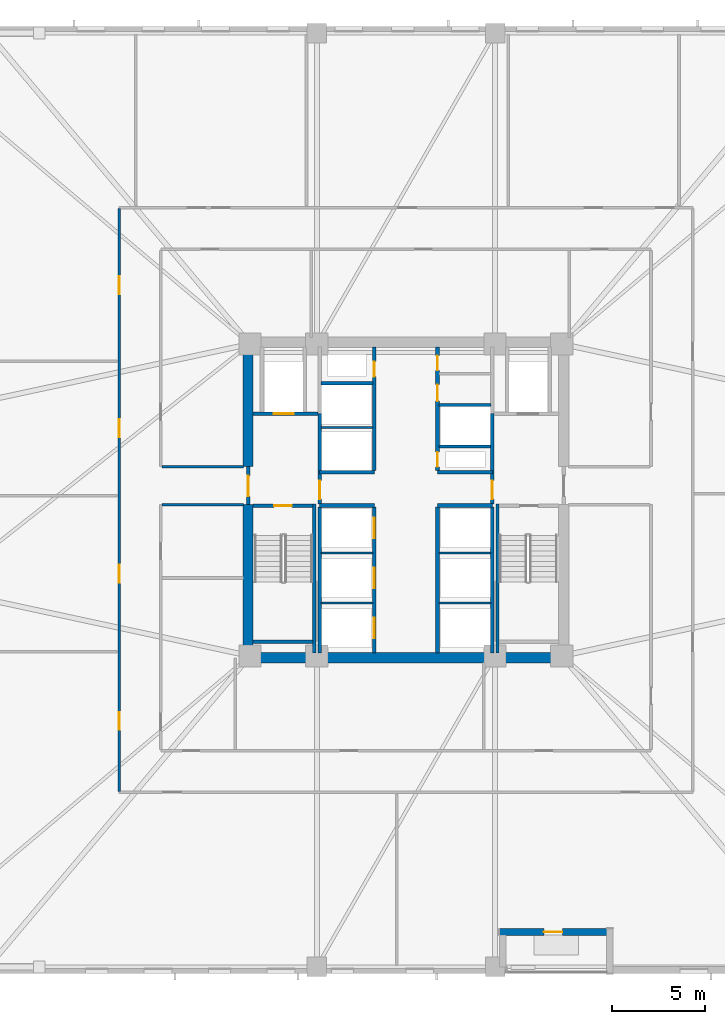
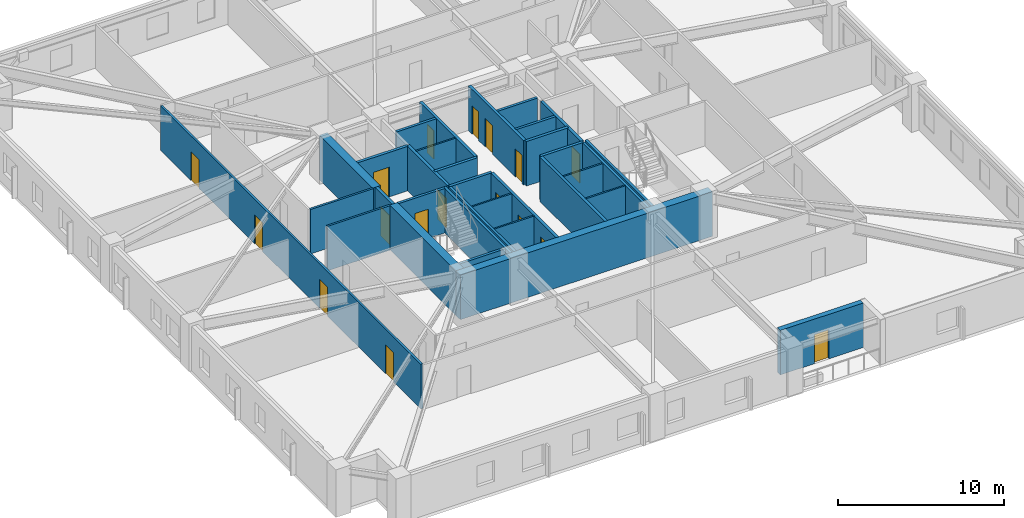
# One storey, part 3 of 11: 33 walls, 17 doors, 17 openings.
"""IFC4 building model written with IfcOpenShell, lengths in metres."""

from ifc_helpers import new_model, si_unit, direction, frame, frame_2d, origin, place, context, subcontext, project, spatial, rectangle, extrude, material, layer, layer_set, type_object, element, fill, save


model = new_model("IFC4")

# Units and contexts
model_context = context("Model", 3, precision=1e-05, world=origin(), true_north=direction((0.0, 1.0)))
body_context = subcontext(model_context, "Body", "Model", "MODEL_VIEW")
ifc_project = project(units=[si_unit("LENGTHUNIT", "METRE"), si_unit("AREAUNIT", "SQUARE_METRE"), si_unit("VOLUMEUNIT", "CUBIC_METRE"), si_unit("PLANEANGLEUNIT", "RADIAN"), si_unit("MASSUNIT", "GRAM", prefix="KILO")], contexts=[model_context])

# Site, building, storey
site_placement = place(None, origin())
site = spatial("IfcSite", under=ifc_project, at=site_placement, CompositionType="ELEMENT")
building_placement = place(site_placement, origin())
building = spatial("IfcBuilding", under=site, at=building_placement, Name="Cairnveth Concourse Tower", CompositionType="ELEMENT")
storey_placement = place(building_placement, frame((0.0, 0.0, 44.5)))
storey = spatial("IfcBuildingStorey", under=building, at=storey_placement, Name="L11", CompositionType="ELEMENT", Elevation=44.5)

# Walls
ifc_material_1 = material(Name="Concrete N80 (80 MPa)", Category="concrete")
ifc_layer_1 = layer(ifc_material_1, 0.550048828125)
ifc_layer_set_1 = layer_set([ifc_layer_1], Name="Concrete N80 (80 MPa)")
wall_type_1 = type_object("IfcWallType", Name="CORE SHEAR WALL 550", PredefinedType="SHEAR", material=ifc_layer_set_1)
wall_1_placement = place(storey_placement, frame((43.22509765625, 30.5, 0.0), z_axis=(0.0, 0.0, 1.0), x_axis=(1.0, 0.0, 0.0)))
element("IfcWall", 1, at=wall_1_placement, inside=storey, type_object=wall_type_1, Name="Core South Shear Wall L11", PredefinedType="SHEAR", context=body_context, shape_type="SweptSolid", body=[
    extrude(rectangle(XDim=17.5498046875, YDim=0.550048828125, at=frame_2d((8.77490234375, 0.0))), origin(), (0.0, 0.0, 1.0), 3.280029296875),
])
wall_2_placement = place(storey_placement, frame((43.5, 30.764892578125, 0.0), z_axis=(0.0, 0.0, 1.0), x_axis=(0.0, 1.0, 0.0)))
element("IfcWall", 2, at=wall_2_placement, inside=storey, type_object=wall_type_1, Name="Core West Shear Wall S L11", PredefinedType="SHEAR", context=body_context, shape_type="SweptSolid", body=[
    extrude(rectangle(XDim=7.985107421875, YDim=0.550048828125, at=frame_2d((3.99267578125, 0.0))), origin(), (0.0, 0.0, 1.0), 3.280029296875),
])
wall_3_placement = place(storey_placement, frame((43.5, 40.800048828125, 0.0), z_axis=(0.0, 0.0, 1.0), x_axis=(0.0, 1.0, 0.0)))
element("IfcWall", 3, at=wall_3_placement, inside=storey, type_object=wall_type_1, Name="Core West Shear Wall N L11", PredefinedType="SHEAR", context=body_context, shape_type="SweptSolid", body=[
    extrude(rectangle(XDim=6.43505859375, YDim=0.550048828125, at=frame_2d((3.217529296875, 0.0))), origin(), (0.0, 0.0, 1.0), 3.280029296875),
])
ifc_material_2 = material(Name="Concrete N50 (50 MPa)", Category="concrete")
ifc_layer_2 = layer(ifc_material_2, 0.179931640625)
ifc_layer_set_2 = layer_set([ifc_layer_2], Name="Concrete N50 (50 MPa)")
wall_type_2 = type_object("IfcWallType", Name="FIRE SHAFT WALL 180", PredefinedType="SOLIDWALL", material=ifc_layer_set_2)
for number, where, z_axis, x_axis, name in (
    (4, (47.35009765625, 30.760009765625, 0.0), (0.0, 0.0, 1.0), (0.0, 1.0, 0.0), "Interior Wall IW-L11-025"),
    (5, (56.64990234375, 30.760009765625, 0.0), (0.0, 0.0, 1.0), (0.0, 1.0, 0.0), "Interior Wall IW-L11-028"),
):
    element("IfcWall", number, at=place(storey_placement, frame(where, z_axis=z_axis, x_axis=x_axis)), inside=storey, type_object=wall_type_2, Name=name, PredefinedType="SOLIDWALL", context=body_context, shape_type="SweptSolid", body=[
        extrude(rectangle(XDim=7.85498046875, YDim=0.179931640625, at=frame_2d((3.927490234375, 0.0))), origin(), (0.0, 0.0, 1.0), 3.280029296875),
    ])
wall_4_placement = place(storey_placement, frame((47.425048828125, 45.280029296875, 0.0), z_axis=(0.0, 0.0, 1.0), x_axis=(1.0, 0.0, 0.0)))
element("IfcWall", 6, at=wall_4_placement, inside=storey, type_object=wall_type_2, Name="Interior Wall IW-L11-033", PredefinedType="SOLIDWALL", context=body_context, shape_type="SweptSolid", body=[
    extrude(rectangle(XDim=2.7900390625, YDim=0.179931640625, at=frame_2d((1.39501953125, 0.0))), origin(), (0.0, 0.0, 1.0), 3.280029296875),
])
wall_5_placement = place(storey_placement, frame((53.784912109375, 41.8798828125, 0.0), z_axis=(0.0, 0.0, 1.0), x_axis=(1.0, 0.0, 0.0)))
element("IfcWall", 7, at=wall_5_placement, inside=storey, type_object=wall_type_2, Name="Interior Wall IW-L11-035", PredefinedType="SOLIDWALL", context=body_context, shape_type="SweptSolid", body=[
    extrude(rectangle(XDim=2.780029296875, YDim=0.179931640625, at=frame_2d((1.39013671875, 0.0))), origin(), (0.0, 0.0, 1.0), 3.280029296875),
])
wall_6_placement = place(storey_placement, frame((53.784912109375, 44.1201171875, 0.0), z_axis=(0.0, 0.0, 1.0), x_axis=(1.0, 0.0, 0.0)))
element("IfcWall", 8, at=wall_6_placement, inside=storey, type_object=wall_type_2, Name="Interior Wall IW-L11-036", PredefinedType="SOLIDWALL", context=body_context, shape_type="SweptSolid", body=[
    extrude(rectangle(XDim=2.7900390625, YDim=0.179931640625, at=frame_2d((1.39501953125, 0.0))), origin(), (0.0, 0.0, 1.0), 3.280029296875),
])

# Wall, opening, door
wall_7_placement = place(storey_placement, frame((43.764892578125, 38.68994140625, 0.0), z_axis=(0.0, 0.0, 1.0), x_axis=(1.0, 0.0, 0.0)))
wall_7 = element("IfcWall", 9, at=wall_7_placement, inside=storey, type_object=wall_type_2, Name="Stair ST-1 Shaft Wall NEAR L11", PredefinedType="SOLIDWALL", context=body_context, shape_type="SweptSolid", body=[
    extrude(rectangle(XDim=3.230224609375, YDim=0.179931640625, at=frame_2d((1.615234375, 0.0))), origin(), (0.0, 0.0, 1.0), 3.280029296875),
])
opening_1_placement = place(wall_7_placement, frame((1.139892578125, 0.0, 0.0)))
opening_1 = element("IfcOpeningElement", 10, at=opening_1_placement, cuts=wall_7, Name="Opening ID12", PredefinedType="OPENING", context=body_context, shape_type="SweptSolid", body=[
    extrude(rectangle(XDim=0.949951171875, YDim=2.14990234375, at=frame_2d((0.47509765625, 1.074951171875))), frame((0.0, 0.099853515625, 0.0), z_axis=(0.0, -1.0, 0.0), x_axis=(1.0, 0.0, 0.0)), (0.0, 0.0, 1.0), 0.199951171875),
])
ifc_material_3 = material(Name="Steel Grade 350", Category="steel")
door_type_1 = type_object("IfcDoorType", Name="FIRE STAIR DOOR 950X2150", OperationType="NOTDEFINED", PredefinedType="DOOR", material=ifc_material_3)
door_1_placement = place(opening_1_placement, origin())
door_1 = element("IfcDoor", 11, at=door_1_placement, inside=storey, type_object=door_type_1, Name="Stair ST-1 Fire Door L11", OperationType="SINGLE_SWING_LEFT", OverallHeight=2.14990234375, OverallWidth=0.949951171875, PredefinedType="DOOR", context=body_context, shape_type="SweptSolid", body=[
    extrude(rectangle(XDim=0.949951171875, YDim=2.14990234375, at=frame_2d((0.47509765625, 1.074951171875))), frame((0.0, 0.02490234375, 0.0), z_axis=(0.0, -1.0, 0.0), x_axis=(1.0, 0.0, 0.0)), (0.0, 0.0, 1.0), 0.050048828125),
])
fill(opening_1, door_1)

# Walls
wall_8_placement = place(storey_placement, frame((43.764892578125, 31.360107421875, 0.0), z_axis=(0.0, 0.0, 1.0), x_axis=(1.0, 0.0, 0.0)))
element("IfcWall", 12, at=wall_8_placement, inside=storey, type_object=wall_type_2, Name="Stair ST-1 Shaft Wall FAR L11", PredefinedType="SOLIDWALL", context=body_context, shape_type="SweptSolid", body=[
    extrude(rectangle(XDim=3.230224609375, YDim=0.179931640625, at=frame_2d((1.615234375, 0.0))), origin(), (0.0, 0.0, 1.0), 3.280029296875),
])
for number, where, z_axis, x_axis, name in (
    (13, (47.070068359375, 38.780029296875, 0.0), (0.0, 0.0, 1.0), (0.0, -1.0, 0.0), "Stair ST-1 Shaft Wall RGHT L11"),
    (14, (56.929931640625, 38.780029296875, 0.0), (0.0, 0.0, 1.0), (0.0, -1.0, 0.0), "Stair ST-2 Shaft Wall LEFT L11"),
):
    element("IfcWall", number, at=place(storey_placement, frame(where, z_axis=z_axis, x_axis=x_axis)), inside=storey, type_object=wall_type_2, Name=name, PredefinedType="SOLIDWALL", context=body_context, shape_type="SweptSolid", body=[
        extrude(rectangle(XDim=8.01708984375, YDim=0.179931640625, at=frame_2d((4.008544921875, 0.0))), origin(), (0.0, 0.0, 1.0), 3.280029296875),
    ])
ifc_layer_3 = layer(ifc_material_2, 0.199951171875)
ifc_layer_set_3 = layer_set([ifc_layer_3], Name="Concrete N50 (50 MPa)")
wall_type_3 = type_object("IfcWallType", Name="FIRE SHAFT WALL 200", PredefinedType="SOLIDWALL", material=ifc_layer_set_3)
for number, where, z_axis, x_axis, name in (
    (15, (47.35009765625, 38.699951171875, 0.0), (0.0, 0.0, 1.0), (1.0, 0.0, 0.0), "Interior Wall IW-L11-007"),
    (16, (47.35009765625, 40.5, 0.0), (0.0, 0.0, 1.0), (1.0, 0.0, 0.0), "Interior Wall IW-L11-008"),
    (17, (53.699951171875, 38.699951171875, 0.0), (0.0, 0.0, 1.0), (1.0, 0.0, 0.0), "Interior Wall IW-L11-009"),
    (18, (53.699951171875, 40.5, 0.0), (0.0, 0.0, 1.0), (1.0, 0.0, 0.0), "Interior Wall IW-L11-010"),
):
    element("IfcWall", number, at=place(storey_placement, frame(where, z_axis=z_axis, x_axis=x_axis)), inside=storey, type_object=wall_type_3, Name=name, PredefinedType="SOLIDWALL", context=body_context, shape_type="SweptSolid", body=[
        extrude(rectangle(XDim=2.949951171875, YDim=0.199951171875, at=frame_2d((1.47509765625, 0.0))), origin(), (0.0, 0.0, 1.0), 3.280029296875),
    ])

# Wall, openings, doors
wall_9_placement = place(storey_placement, frame((50.300048828125, 30.760009765625, 0.0), z_axis=(0.0, 0.0, 1.0), x_axis=(0.0, 1.0, 0.0)))
wall_9 = element("IfcWall", 19, at=wall_9_placement, inside=storey, type_object=wall_type_3, Name="Interior Wall IW-L11-011", PredefinedType="SOLIDWALL", context=body_context, shape_type="SweptSolid", body=[
    extrude(rectangle(XDim=7.85498046875, YDim=0.199951171875, at=frame_2d((3.927490234375, 0.0))), origin(), (0.0, 0.0, 1.0), 3.280029296875),
])
opening_2_placement = place(wall_9_placement, frame((0.7900390625, 0.0, 0.0)))
opening_2 = element("IfcOpeningElement", 20, at=opening_2_placement, cuts=wall_9, Name="Opening LD-1", PredefinedType="OPENING", context=body_context, shape_type="SweptSolid", body=[
    extrude(rectangle(XDim=1.10009765625, YDim=2.199951171875, at=frame_2d((0.550048828125, 1.10009765625))), frame((0.0, 0.10986328125, 0.0), z_axis=(0.0, -1.0, 0.0), x_axis=(1.0, 0.0, 0.0)), (0.0, 0.0, 1.0), 0.219970703125),
])
opening_3_placement = place(wall_9_placement, frame((3.489990234375, 0.0, 0.0)))
opening_3 = element("IfcOpeningElement", 21, at=opening_3_placement, cuts=wall_9, Name="Opening LD-1", PredefinedType="OPENING", context=body_context, shape_type="SweptSolid", body=[
    extrude(rectangle(XDim=1.10009765625, YDim=2.199951171875, at=frame_2d((0.550048828125, 1.10009765625))), frame((0.0, 0.10986328125, 0.0), z_axis=(0.0, -1.0, 0.0), x_axis=(1.0, 0.0, 0.0)), (0.0, 0.0, 1.0), 0.219970703125),
])
opening_4_placement = place(wall_9_placement, frame((6.18994140625, 0.0, 0.0)))
opening_4 = element("IfcOpeningElement", 22, at=opening_4_placement, cuts=wall_9, Name="Opening LD-1", PredefinedType="OPENING", context=body_context, shape_type="SweptSolid", body=[
    extrude(rectangle(XDim=1.10009765625, YDim=2.199951171875, at=frame_2d((0.550048828125, 1.10009765625))), frame((0.0, 0.10986328125, 0.0), z_axis=(0.0, -1.0, 0.0), x_axis=(1.0, 0.0, 0.0)), (0.0, 0.0, 1.0), 0.219970703125),
])
ifc_material_4 = material(Name="Architectural Bronze Anodised Aluminium 6063-T6", Category="aluminium")
door_type_2 = type_object("IfcDoorType", Name="LIFT LANDING DOOR 1100X2200", OperationType="SLIDING_TO_LEFT", PredefinedType="DOOR", material=ifc_material_4)
door_2_placement = place(opening_2_placement, origin())
door_2 = element("IfcDoor", 23, at=door_2_placement, inside=storey, type_object=door_type_2, Name="Lift PL1 Landing Door L11", OperationType="SLIDING_TO_LEFT", OverallHeight=2.199951171875, OverallWidth=1.10009765625, PredefinedType="DOOR", context=body_context, shape_type="SweptSolid", body=[
    extrude(rectangle(XDim=1.10009765625, YDim=2.199951171875, at=frame_2d((0.550048828125, 1.10009765625))), frame((0.0, 0.02490234375, 0.0), z_axis=(0.0, -1.0, 0.0), x_axis=(1.0, 0.0, 0.0)), (0.0, 0.0, 1.0), 0.050048828125),
])
fill(opening_2, door_2)
door_3_placement = place(opening_3_placement, origin())
door_3 = element("IfcDoor", 24, at=door_3_placement, inside=storey, type_object=door_type_2, Name="Lift PL2 Landing Door L11", OperationType="SLIDING_TO_LEFT", OverallHeight=2.199951171875, OverallWidth=1.10009765625, PredefinedType="DOOR", context=body_context, shape_type="SweptSolid", body=[
    extrude(rectangle(XDim=1.10009765625, YDim=2.199951171875, at=frame_2d((0.550048828125, 1.10009765625))), frame((0.0, 0.02490234375, 0.0), z_axis=(0.0, -1.0, 0.0), x_axis=(1.0, 0.0, 0.0)), (0.0, 0.0, 1.0), 0.050048828125),
])
fill(opening_3, door_3)
door_4_placement = place(opening_4_placement, origin())
door_4 = element("IfcDoor", 25, at=door_4_placement, inside=storey, type_object=door_type_2, Name="Lift PL3 Landing Door L11", OperationType="SLIDING_TO_LEFT", OverallHeight=2.199951171875, OverallWidth=1.10009765625, PredefinedType="DOOR", context=body_context, shape_type="SweptSolid", body=[
    extrude(rectangle(XDim=1.10009765625, YDim=2.199951171875, at=frame_2d((0.550048828125, 1.10009765625))), frame((0.0, 0.02490234375, 0.0), z_axis=(0.0, -1.0, 0.0), x_axis=(1.0, 0.0, 0.0)), (0.0, 0.0, 1.0), 0.050048828125),
])
fill(opening_4, door_4)

# Wall
wall_10_placement = place(storey_placement, frame((53.699951171875, 30.760009765625, 0.0), z_axis=(0.0, 0.0, 1.0), x_axis=(0.0, 1.0, 0.0)))
element("IfcWall", 26, at=wall_10_placement, inside=storey, type_object=wall_type_3, Name="Interior Wall IW-L11-012", PredefinedType="SOLIDWALL", context=body_context, shape_type="SweptSolid", body=[
    extrude(rectangle(XDim=7.85498046875, YDim=0.199951171875, at=frame_2d((3.927490234375, 0.0))), origin(), (0.0, 0.0, 1.0), 3.280029296875),
])

# Wall, opening, door
wall_11_placement = place(storey_placement, frame((50.300048828125, 40.5849609375, 0.0), z_axis=(0.0, 0.0, 1.0), x_axis=(0.0, 1.0, 0.0)))
wall_11 = element("IfcWall", 27, at=wall_11_placement, inside=storey, type_object=wall_type_3, Name="Interior Wall IW-L11-013", PredefinedType="SOLIDWALL", context=body_context, shape_type="SweptSolid", body=[
    extrude(rectangle(XDim=6.655029296875, YDim=0.199951171875, at=frame_2d((3.32763671875, 0.0))), origin(), (0.0, 0.0, 1.0), 3.280029296875),
])
opening_5_placement = place(wall_11_placement, frame((5.06494140625, 0.0, 0.0)))
opening_5 = element("IfcOpeningElement", 28, at=opening_5_placement, cuts=wall_11, Name="Opening ID24", PredefinedType="OPENING", context=body_context, shape_type="SweptSolid", body=[
    extrude(rectangle(XDim=0.800048828125, YDim=2.080078125, at=frame_2d((0.39990234375, 1.0400390625))), frame((0.0, 0.10986328125, 0.0), z_axis=(0.0, -1.0, 0.0), x_axis=(1.0, 0.0, 0.0)), (0.0, 0.0, 1.0), 0.219970703125),
])
door_type_3 = type_object("IfcDoorType", Name="RISER ACCESS DOOR 800X2100", OperationType="NOTDEFINED", PredefinedType="DOOR", material=ifc_material_3)
door_5_placement = place(opening_5_placement, origin())
door_5 = element("IfcDoor", 29, at=door_5_placement, inside=storey, type_object=door_type_3, Name="NW Electrical Riser Access Door L11", OperationType="SINGLE_SWING_RIGHT", OverallHeight=2.080078125, OverallWidth=0.800048828125, PredefinedType="DOOR", context=body_context, shape_type="SweptSolid", body=[
    extrude(rectangle(XDim=0.800048828125, YDim=2.080078125, at=frame_2d((0.39990234375, 1.0400390625))), frame((0.0, 0.02490234375, 0.0), z_axis=(0.0, -1.0, 0.0), x_axis=(1.0, 0.0, 0.0)), (0.0, 0.0, 1.0), 0.050048828125),
])
fill(opening_5, door_5)

# Wall, openings, doors
wall_12_placement = place(storey_placement, frame((53.699951171875, 40.5849609375, 0.0), z_axis=(0.0, 0.0, 1.0), x_axis=(0.0, 1.0, 0.0)))
wall_12 = element("IfcWall", 30, at=wall_12_placement, inside=storey, type_object=wall_type_3, Name="Interior Wall IW-L11-014", PredefinedType="SOLIDWALL", context=body_context, shape_type="SweptSolid", body=[
    extrude(rectangle(XDim=6.655029296875, YDim=0.199951171875, at=frame_2d((3.32763671875, 0.0))), origin(), (0.0, 0.0, 1.0), 3.280029296875),
])
opening_6_placement = place(wall_12_placement, frame((0.195068359375, 0.0, 0.0)))
opening_6 = element("IfcOpeningElement", 31, at=opening_6_placement, cuts=wall_12, Name="Opening ID24", PredefinedType="OPENING", context=body_context, shape_type="SweptSolid", body=[
    extrude(rectangle(XDim=0.800048828125, YDim=2.080078125, at=frame_2d((0.39990234375, 1.0400390625))), frame((0.0, 0.10986328125, 0.0), z_axis=(0.0, -1.0, 0.0), x_axis=(1.0, 0.0, 0.0)), (0.0, 0.0, 1.0), 0.219970703125),
])
opening_7_placement = place(wall_12_placement, frame((3.735107421875, 0.0, 0.0)))
opening_7 = element("IfcOpeningElement", 32, at=opening_7_placement, cuts=wall_12, Name="Opening ID26", PredefinedType="OPENING", context=body_context, shape_type="SweptSolid", body=[
    extrude(rectangle(XDim=0.89990234375, YDim=2.1201171875, at=frame_2d((0.449951171875, 1.06005859375))), frame((0.0, 0.10986328125, 0.0), z_axis=(0.0, -1.0, 0.0), x_axis=(1.0, 0.0, 0.0)), (0.0, 0.0, 1.0), 0.219970703125),
])
opening_8_placement = place(wall_12_placement, frame((5.39501953125, 0.0, 0.0)))
opening_8 = element("IfcOpeningElement", 33, at=opening_8_placement, cuts=wall_12, Name="Opening ID23", PredefinedType="OPENING", context=body_context, shape_type="SweptSolid", body=[
    extrude(rectangle(XDim=0.800048828125, YDim=2.10009765625, at=frame_2d((0.39990234375, 1.050048828125))), frame((0.0, 0.10986328125, 0.0), z_axis=(0.0, -1.0, 0.0), x_axis=(1.0, 0.0, 0.0)), (0.0, 0.0, 1.0), 0.219970703125),
])
door_type_4 = type_object("IfcDoorType", Name="CORE SERVICE DOOR 800X2100", OperationType="NOTDEFINED", PredefinedType="DOOR", material=ifc_material_3)
door_6_placement = place(opening_8_placement, origin())
door_6 = element("IfcDoor", 34, at=door_6_placement, inside=storey, type_object=door_type_4, Name="Core NE Cleaners Door L11", OperationType="SINGLE_SWING_LEFT", OverallHeight=2.10009765625, OverallWidth=0.800048828125, PredefinedType="DOOR", context=body_context, shape_type="SweptSolid", body=[
    extrude(rectangle(XDim=0.800048828125, YDim=2.10009765625, at=frame_2d((0.39990234375, 1.050048828125))), frame((0.0, 0.02490234375, 0.0), z_axis=(0.0, -1.0, 0.0), x_axis=(1.0, 0.0, 0.0)), (0.0, 0.0, 1.0), 0.050048828125),
])
fill(opening_8, door_6)
door_type_5 = type_object("IfcDoorType", Name="CORE TOILET FIRE DOOR 900X2120", OperationType="NOTDEFINED", PredefinedType="DOOR", material=ifc_material_3)
door_7_placement = place(opening_7_placement, origin())
door_7 = element("IfcDoor", 35, at=door_7_placement, inside=storey, type_object=door_type_5, Name="Core NE Unisex WC Door L11", OperationType="SINGLE_SWING_RIGHT", OverallHeight=2.1201171875, OverallWidth=0.89990234375, PredefinedType="DOOR", context=body_context, shape_type="SweptSolid", body=[
    extrude(rectangle(XDim=0.89990234375, YDim=2.1201171875, at=frame_2d((0.449951171875, 1.06005859375))), frame((0.0, 0.02490234375, 0.0), z_axis=(0.0, -1.0, 0.0), x_axis=(1.0, 0.0, 0.0)), (0.0, 0.0, 1.0), 0.050048828125),
])
fill(opening_7, door_7)
door_8_placement = place(opening_6_placement, origin())
door_8 = element("IfcDoor", 36, at=door_8_placement, inside=storey, type_object=door_type_3, Name="Hydraulic Riser Door L11", OperationType="SINGLE_SWING_LEFT", OverallHeight=2.080078125, OverallWidth=0.800048828125, PredefinedType="DOOR", context=body_context, shape_type="SweptSolid", body=[
    extrude(rectangle(XDim=0.800048828125, YDim=2.080078125, at=frame_2d((0.39990234375, 1.0400390625))), frame((0.0, 0.02490234375, 0.0), z_axis=(0.0, -1.0, 0.0), x_axis=(1.0, 0.0, 0.0)), (0.0, 0.0, 1.0), 0.050048828125),
])
fill(opening_6, door_8)

# Wall, opening, door
wall_13_placement = place(storey_placement, frame((43.5, 38.75, 0.0), z_axis=(0.0, 0.0, 1.0), x_axis=(0.0, 1.0, 0.0)))
wall_13 = element("IfcWall", 37, at=wall_13_placement, inside=storey, type_object=wall_type_3, Name="Interior Wall IW-L11-015", PredefinedType="SOLIDWALL", context=body_context, shape_type="SweptSolid", body=[
    extrude(rectangle(XDim=2.050048828125, YDim=0.199951171875, at=frame_2d((1.02490234375, 0.0))), origin(), (0.0, 0.0, 1.0), 3.280029296875),
])
opening_9_placement = place(wall_13_placement, frame((0.449951171875, 0.0, 0.0)))
opening_9 = element("IfcOpeningElement", 38, at=opening_9_placement, cuts=wall_13, Name="Opening ID06", PredefinedType="OPENING", context=body_context, shape_type="SweptSolid", body=[
    extrude(rectangle(XDim=1.10009765625, YDim=2.14990234375, at=frame_2d((0.550048828125, 1.074951171875))), frame((0.0, 0.10986328125, 0.0), z_axis=(0.0, -1.0, 0.0), x_axis=(1.0, 0.0, 0.0)), (0.0, 0.0, 1.0), 0.219970703125),
])
door_type_6 = type_object("IfcDoorType", Name="FIRE CORRIDOR DOOR 1100X2150", OperationType="NOTDEFINED", PredefinedType="DOOR", material=ifc_material_3)
door_9_placement = place(opening_9_placement, origin())
door_9 = element("IfcDoor", 39, at=door_9_placement, inside=storey, type_object=door_type_6, Name="West Wing to FF Lobby Door L11", OperationType="SINGLE_SWING_LEFT", OverallHeight=2.14990234375, OverallWidth=1.10009765625, PredefinedType="DOOR", context=body_context, shape_type="SweptSolid", body=[
    extrude(rectangle(XDim=1.10009765625, YDim=2.14990234375, at=frame_2d((0.550048828125, 1.074951171875))), frame((0.0, 0.02490234375, 0.0), z_axis=(0.0, -1.0, 0.0), x_axis=(1.0, 0.0, 0.0)), (0.0, 0.0, 1.0), 0.050048828125),
])
fill(opening_9, door_9)

wall_14_placement = place(storey_placement, frame((47.35009765625, 38.784912109375, 0.0), z_axis=(0.0, 0.0, 1.0), x_axis=(0.0, 1.0, 0.0)))
wall_14 = element("IfcWall", 40, at=wall_14_placement, inside=storey, type_object=wall_type_3, Name="Interior Wall IW-L11-016", PredefinedType="SOLIDWALL", context=body_context, shape_type="SweptSolid", body=[
    extrude(rectangle(XDim=4.864990234375, YDim=0.199951171875, at=frame_2d((2.4326171875, 0.0))), origin(), (0.0, 0.0, 1.0), 3.280029296875),
])
opening_10_placement = place(wall_14_placement, frame((0.264892578125, 0.0, 0.0)))
opening_10 = element("IfcOpeningElement", 41, at=opening_10_placement, cuts=wall_14, Name="Opening ID07", PredefinedType="OPENING", context=body_context, shape_type="SweptSolid", body=[
    extrude(rectangle(XDim=1.0, YDim=2.14990234375, at=frame_2d((0.5, 1.074951171875))), frame((0.0, 0.10986328125, 0.0), z_axis=(0.0, -1.0, 0.0), x_axis=(1.0, 0.0, 0.0)), (0.0, 0.0, 1.0), 0.219970703125),
])
door_type_7 = type_object("IfcDoorType", Name="FIRE CORRIDOR DOOR 1000X2150", OperationType="NOTDEFINED", PredefinedType="DOOR", material=ifc_material_3)
door_10_placement = place(opening_10_placement, origin())
door_10 = element("IfcDoor", 42, at=door_10_placement, inside=storey, type_object=door_type_7, Name="FF Lobby West to Lift Lobby Door L11", OperationType="SINGLE_SWING_RIGHT", OverallHeight=2.14990234375, OverallWidth=1.0, PredefinedType="DOOR", context=body_context, shape_type="SweptSolid", body=[
    extrude(rectangle(XDim=1.0, YDim=2.14990234375, at=frame_2d((0.5, 1.074951171875))), frame((0.0, 0.02490234375, 0.0), z_axis=(0.0, -1.0, 0.0), x_axis=(1.0, 0.0, 0.0)), (0.0, 0.0, 1.0), 0.050048828125),
])
fill(opening_10, door_10)

wall_15_placement = place(storey_placement, frame((43.760009765625, 43.64990234375, 0.0), z_axis=(0.0, 0.0, 1.0), x_axis=(1.0, 0.0, 0.0)))
wall_15 = element("IfcWall", 43, at=wall_15_placement, inside=storey, type_object=wall_type_3, Name="Interior Wall IW-L11-017", PredefinedType="SOLIDWALL", context=body_context, shape_type="SweptSolid", body=[
    extrude(rectangle(XDim=3.5048828125, YDim=0.199951171875, at=frame_2d((1.75244140625, 0.0))), origin(), (0.0, 0.0, 1.0), 3.280029296875),
])
opening_11_placement = place(wall_15_placement, frame((1.110107421875, 0.0, 0.0)))
opening_11 = element("IfcOpeningElement", 44, at=opening_11_placement, cuts=wall_15, Name="Opening LD-1", PredefinedType="OPENING", context=body_context, shape_type="SweptSolid", body=[
    extrude(rectangle(XDim=1.10009765625, YDim=2.199951171875, at=frame_2d((0.550048828125, 1.10009765625))), frame((0.0, 0.10986328125, 0.0), z_axis=(0.0, -1.0, 0.0), x_axis=(1.0, 0.0, 0.0)), (0.0, 0.0, 1.0), 0.219970703125),
])
door_11_placement = place(opening_11_placement, origin())
door_11 = element("IfcDoor", 45, at=door_11_placement, inside=storey, type_object=door_type_2, Name="Lift FFL1 Landing Door L11", OperationType="SLIDING_TO_LEFT", OverallHeight=2.199951171875, OverallWidth=1.10009765625, PredefinedType="DOOR", context=body_context, shape_type="SweptSolid", body=[
    extrude(rectangle(XDim=1.10009765625, YDim=2.199951171875, at=frame_2d((0.550048828125, 1.10009765625))), frame((0.0, 0.02490234375, 0.0), z_axis=(0.0, -1.0, 0.0), x_axis=(1.0, 0.0, 0.0)), (0.0, 0.0, 1.0), 0.050048828125),
])
fill(opening_11, door_11)

wall_16_placement = place(storey_placement, frame((56.64990234375, 38.784912109375, 0.0), z_axis=(0.0, 0.0, 1.0), x_axis=(0.0, 1.0, 0.0)))
wall_16 = element("IfcWall", 46, at=wall_16_placement, inside=storey, type_object=wall_type_3, Name="Interior Wall IW-L11-021", PredefinedType="SOLIDWALL", context=body_context, shape_type="SweptSolid", body=[
    extrude(rectangle(XDim=4.864990234375, YDim=0.199951171875, at=frame_2d((2.4326171875, 0.0))), origin(), (0.0, 0.0, 1.0), 3.280029296875),
])
opening_12_placement = place(wall_16_placement, frame((0.264892578125, 0.0, 0.0)))
opening_12 = element("IfcOpeningElement", 47, at=opening_12_placement, cuts=wall_16, Name="Opening ID07", PredefinedType="OPENING", context=body_context, shape_type="SweptSolid", body=[
    extrude(rectangle(XDim=1.0, YDim=2.14990234375, at=frame_2d((0.5, 1.074951171875))), frame((0.0, 0.10986328125, 0.0), z_axis=(0.0, -1.0, 0.0), x_axis=(1.0, 0.0, 0.0)), (0.0, 0.0, 1.0), 0.219970703125),
])
door_12_placement = place(opening_12_placement, origin())
door_12 = element("IfcDoor", 48, at=door_12_placement, inside=storey, type_object=door_type_7, Name="FF Lobby East to Lift Lobby Door L11", OperationType="SINGLE_SWING_LEFT", OverallHeight=2.14990234375, OverallWidth=1.0, PredefinedType="DOOR", context=body_context, shape_type="SweptSolid", body=[
    extrude(rectangle(XDim=1.0, YDim=2.14990234375, at=frame_2d((0.5, 1.074951171875))), frame((0.0, 0.02490234375, 0.0), z_axis=(0.0, -1.0, 0.0), x_axis=(1.0, 0.0, 0.0)), (0.0, 0.0, 1.0), 0.050048828125),
])
fill(opening_12, door_12)

# Wall, openings, doors
ifc_material_5 = material(Name="Gypsum Plasterboard Partition", Category="gypsum")
ifc_layer_4 = layer(ifc_material_5, 0.139892578125)
ifc_layer_set_4 = layer_set([ifc_layer_4], Name="Gypsum Plasterboard Partition")
wall_type_4 = type_object("IfcWallType", Name="GYPSUM STUD PARTITION 140", PredefinedType="PARTITIONING", material=ifc_layer_set_4)
wall_17_placement = place(storey_placement, frame((36.550048828125, 23.304931640625, 0.0), z_axis=(0.0, 0.0, 1.0), x_axis=(0.0, 1.0, 0.0)))
wall_17 = element("IfcWall", 49, at=wall_17_placement, inside=storey, type_object=wall_type_4, Name="Interior Wall IW-L11-040", PredefinedType="PARTITIONING", context=body_context, shape_type="SweptSolid", body=[
    extrude(rectangle(XDim=31.39013671875, YDim=0.139892578125, at=frame_2d((15.695068359375, 0.0))), origin(), (0.0, 0.0, 1.0), 3.280029296875),
])
opening_13_placement = place(wall_17_placement, frame((3.306884765625, 0.0, 0.0)))
opening_13 = element("IfcOpeningElement", 50, at=opening_13_placement, cuts=wall_17, Name="Opening ID11", PredefinedType="OPENING", context=body_context, shape_type="SweptSolid", body=[
    extrude(rectangle(XDim=0.9599609375, YDim=2.1201171875, at=frame_2d((0.47998046875, 1.06005859375))), frame((0.0, 0.079833984375, 0.0), z_axis=(0.0, -1.0, 0.0), x_axis=(1.0, 0.0, 0.0)), (0.0, 0.0, 1.0), 0.159912109375),
])
opening_14_placement = place(wall_17_placement, frame((11.25, 0.0, 0.0)))
opening_14 = element("IfcOpeningElement", 51, at=opening_14_placement, cuts=wall_17, Name="Opening ID11", PredefinedType="OPENING", context=body_context, shape_type="SweptSolid", body=[
    extrude(rectangle(XDim=0.9599609375, YDim=2.1201171875, at=frame_2d((0.47998046875, 1.06005859375))), frame((0.0, 0.079833984375, 0.0), z_axis=(0.0, -1.0, 0.0), x_axis=(1.0, 0.0, 0.0)), (0.0, 0.0, 1.0), 0.159912109375),
])
opening_15_placement = place(wall_17_placement, frame((19.074951171875, 0.0, 0.0)))
opening_15 = element("IfcOpeningElement", 52, at=opening_15_placement, cuts=wall_17, Name="Opening ID11", PredefinedType="OPENING", context=body_context, shape_type="SweptSolid", body=[
    extrude(rectangle(XDim=0.9599609375, YDim=2.1201171875, at=frame_2d((0.47998046875, 1.06005859375))), frame((0.0, 0.079833984375, 0.0), z_axis=(0.0, -1.0, 0.0), x_axis=(1.0, 0.0, 0.0)), (0.0, 0.0, 1.0), 0.159912109375),
])
opening_16_placement = place(wall_17_placement, frame((26.781982421875, 0.0, 0.0)))
opening_16 = element("IfcOpeningElement", 53, at=opening_16_placement, cuts=wall_17, Name="Opening ID11", PredefinedType="OPENING", context=body_context, shape_type="SweptSolid", body=[
    extrude(rectangle(XDim=0.9599609375, YDim=2.1201171875, at=frame_2d((0.47998046875, 1.06005859375))), frame((0.0, 0.079833984375, 0.0), z_axis=(0.0, -1.0, 0.0), x_axis=(1.0, 0.0, 0.0)), (0.0, 0.0, 1.0), 0.159912109375),
])
ifc_material_6 = material(Name="Solid Core Hardwood Timber Leaf", Category="wood")
door_type_8 = type_object("IfcDoorType", Name="INTERIOR SINGLE DOOR 960X2150", OperationType="NOTDEFINED", PredefinedType="DOOR", material=ifc_material_6)
door_13_placement = place(opening_13_placement, origin())
door_13 = element("IfcDoor", 54, at=door_13_placement, inside=storey, type_object=door_type_8, Name="Office Door L11-W1", OperationType="SINGLE_SWING_RIGHT", OverallHeight=2.1201171875, OverallWidth=0.9599609375, PredefinedType="DOOR", context=body_context, shape_type="SweptSolid", body=[
    extrude(rectangle(XDim=0.9599609375, YDim=2.1201171875, at=frame_2d((0.47998046875, 1.06005859375))), frame((0.0, 0.02490234375, 0.0), z_axis=(0.0, -1.0, 0.0), x_axis=(1.0, 0.0, 0.0)), (0.0, 0.0, 1.0), 0.050048828125),
])
fill(opening_13, door_13)
door_14_placement = place(opening_14_placement, origin())
door_14 = element("IfcDoor", 55, at=door_14_placement, inside=storey, type_object=door_type_8, Name="Office Door L11-W2", OperationType="SINGLE_SWING_LEFT", OverallHeight=2.1201171875, OverallWidth=0.9599609375, PredefinedType="DOOR", context=body_context, shape_type="SweptSolid", body=[
    extrude(rectangle(XDim=0.9599609375, YDim=2.1201171875, at=frame_2d((0.47998046875, 1.06005859375))), frame((0.0, 0.02490234375, 0.0), z_axis=(0.0, -1.0, 0.0), x_axis=(1.0, 0.0, 0.0)), (0.0, 0.0, 1.0), 0.050048828125),
])
fill(opening_14, door_14)
door_15_placement = place(opening_15_placement, origin())
door_15 = element("IfcDoor", 56, at=door_15_placement, inside=storey, type_object=door_type_8, Name="Office Door L11-W3", OperationType="SINGLE_SWING_RIGHT", OverallHeight=2.1201171875, OverallWidth=0.9599609375, PredefinedType="DOOR", context=body_context, shape_type="SweptSolid", body=[
    extrude(rectangle(XDim=0.9599609375, YDim=2.1201171875, at=frame_2d((0.47998046875, 1.06005859375))), frame((0.0, 0.02490234375, 0.0), z_axis=(0.0, -1.0, 0.0), x_axis=(1.0, 0.0, 0.0)), (0.0, 0.0, 1.0), 0.050048828125),
])
fill(opening_15, door_15)
door_16_placement = place(opening_16_placement, origin())
door_16 = element("IfcDoor", 57, at=door_16_placement, inside=storey, type_object=door_type_8, Name="Office Door L11-W4", OperationType="SINGLE_SWING_LEFT", OverallHeight=2.1201171875, OverallWidth=0.9599609375, PredefinedType="DOOR", context=body_context, shape_type="SweptSolid", body=[
    extrude(rectangle(XDim=0.9599609375, YDim=2.1201171875, at=frame_2d((0.47998046875, 1.06005859375))), frame((0.0, 0.02490234375, 0.0), z_axis=(0.0, -1.0, 0.0), x_axis=(1.0, 0.0, 0.0)), (0.0, 0.0, 1.0), 0.050048828125),
])
fill(opening_16, door_16)

# Walls
for number, where, z_axis, x_axis, name in (
    (58, (38.85498046875, 38.75, 0.0), (0.0, 0.0, 1.0), (1.0, 0.0, 0.0), "Interior Wall IW-L11-046"),
    (59, (38.85498046875, 40.800048828125, 0.0), (0.0, 0.0, 1.0), (1.0, 0.0, 0.0), "Interior Wall IW-L11-047"),
):
    element("IfcWall", number, at=place(storey_placement, frame(where, z_axis=z_axis, x_axis=x_axis)), inside=storey, type_object=wall_type_4, Name=name, PredefinedType="PARTITIONING", context=body_context, shape_type="SweptSolid", body=[
        extrude(rectangle(XDim=4.385009765625, YDim=0.139892578125, at=frame_2d((2.1923828125, 0.0))), origin(), (0.0, 0.0, 1.0), 3.280029296875),
    ])
ifc_layer_5 = layer(ifc_material_5, 0.110107421875)
ifc_layer_set_5 = layer_set([ifc_layer_5], Name="Gypsum Plasterboard Partition")
wall_type_5 = type_object("IfcWallType", Name="SHAFT DIVIDER WALL 140", PredefinedType="PARTITIONING", material=ifc_layer_set_5)
for number, where, z_axis, x_axis, name in (
    (60, (47.425048828125, 33.449951171875, 0.0), (0.0, 0.0, 1.0), (1.0, 0.0, 0.0), "Interior Wall IW-L11-026"),
    (61, (47.425048828125, 36.14990234375, 0.0), (0.0, 0.0, 1.0), (1.0, 0.0, 0.0), "Interior Wall IW-L11-027"),
    (62, (53.784912109375, 33.449951171875, 0.0), (0.0, 0.0, 1.0), (1.0, 0.0, 0.0), "Interior Wall IW-L11-029"),
    (63, (53.784912109375, 36.14990234375, 0.0), (0.0, 0.0, 1.0), (1.0, 0.0, 0.0), "Interior Wall IW-L11-030"),
):
    element("IfcWall", number, at=place(storey_placement, frame(where, z_axis=z_axis, x_axis=x_axis)), inside=storey, type_object=wall_type_5, Name=name, PredefinedType="PARTITIONING", context=body_context, shape_type="SweptSolid", body=[
        extrude(rectangle(XDim=2.7900390625, YDim=0.110107421875, at=frame_2d((1.39501953125, 0.0))), origin(), (0.0, 0.0, 1.0), 3.280029296875),
    ])
wall_18_placement = place(storey_placement, frame((47.43505859375, 42.89990234375, 0.0), z_axis=(0.0, 0.0, 1.0), x_axis=(1.0, 0.0, 0.0)))
element("IfcWall", 64, at=wall_18_placement, inside=storey, type_object=wall_type_5, Name="Interior Wall IW-L11-032", PredefinedType="PARTITIONING", context=body_context, shape_type="SweptSolid", body=[
    extrude(rectangle(XDim=2.780029296875, YDim=0.110107421875, at=frame_2d((1.39013671875, 0.0))), origin(), (0.0, 0.0, 1.0), 3.280029296875),
])

# Wall, opening, door
ifc_material_7 = material(Name="Hawthorn Red-Ochre Fired Clay Brick Masonry", Category="masonry")
ifc_layer_6 = layer(ifc_material_7, 0.360107421875)
ifc_layer_set_6 = layer_set([ifc_layer_6], Name="Hawthorn Red-Ochre Fired Clay Brick Masonry")
wall_type_6 = type_object("IfcWallType", Name="ZONE 1 BRICK PIER SPANDREL WALL 360", PredefinedType="SOLIDWALL", material=ifc_layer_set_6)
wall_19_placement = place(storey_placement, frame((62.822021484375, 15.72998046875, 0.0), z_axis=(0.0, 0.0, 1.0), x_axis=(-1.0, 0.0, 0.0)))
wall_19 = element("IfcWall", 65, at=wall_19_placement, inside=storey, type_object=wall_type_6, Name="Exterior Wall EW-L11-S14", PredefinedType="SOLIDWALL", context=body_context, shape_type="SweptSolid", body=[
    extrude(rectangle(XDim=5.781982421875, YDim=0.360107421875, at=frame_2d((2.89111328125, 0.0))), origin(), (0.0, 0.0, 1.0), 3.280029296875),
])
opening_17_placement = place(wall_19_placement, frame((2.39111328125, 0.0, 0.0)))
opening_17 = element("IfcOpeningElement", 66, at=opening_17_placement, cuts=wall_19, Name="Opening ED4", PredefinedType="OPENING", context=body_context, shape_type="SweptSolid", body=[
    extrude(rectangle(XDim=1.0, YDim=2.14990234375, at=frame_2d((0.5, 1.074951171875))), frame((0.0, 0.18994140625, 0.0), z_axis=(0.0, -1.0, 0.0), x_axis=(1.0, 0.0, 0.0)), (0.0, 0.0, 1.0), 0.380126953125),
])
door_type_9 = type_object("IfcDoorType", Name="TERRACE GLAZED DOOR 1000X2150", OperationType="NOTDEFINED", PredefinedType="DOOR", material=ifc_material_4)
door_17_placement = place(opening_17_placement, origin())
door_17 = element("IfcDoor", 67, at=door_17_placement, inside=storey, type_object=door_type_9, Name="Spiral Terrace Door L11", OperationType="SINGLE_SWING_RIGHT", OverallHeight=2.14990234375, OverallWidth=1.0, PredefinedType="DOOR", context=body_context, shape_type="SweptSolid", body=[
    extrude(rectangle(XDim=1.0, YDim=2.14990234375, at=frame_2d((0.5, 1.074951171875))), frame((0.0, 0.02490234375, 0.0), z_axis=(0.0, -1.0, 0.0), x_axis=(1.0, 0.0, 0.0)), (0.0, 0.0, 1.0), 0.050048828125),
])
fill(opening_17, door_17)

save(model, "model.ifc")
